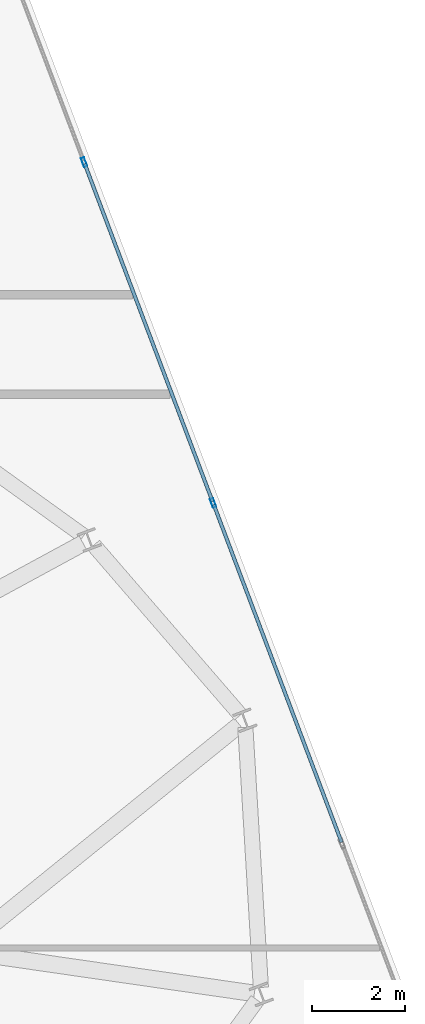
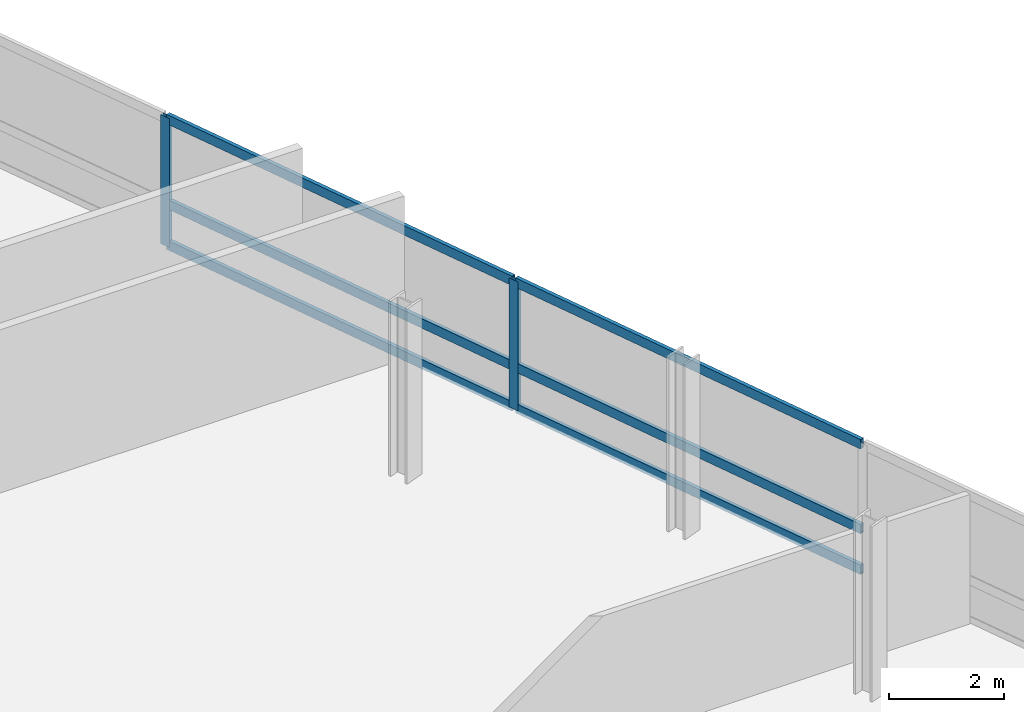
# One storey, part 16 of 23: 8 members, 1 element without a shape of its own.
"""IFC4 building model written with IfcOpenShell, lengths in metres."""

from ifc_helpers import new_model, si_unit, direction, frame, origin, origin_2d, place, context, subcontext, project, spatial, hollow_rectangle, extrude, material, layer, layer_set, material_profile, profile_set, type_object, element, aggregate, save


model = new_model("IFC4")

# Units and contexts
model_context = context("Model", 3, precision=1e-05, world=origin(), true_north=direction((0.0, 1.0)))
body_context = subcontext(model_context, "Body", "Model", "MODEL_VIEW")
ifc_project = project(units=[si_unit("LENGTHUNIT", "METRE"), si_unit("AREAUNIT", "SQUARE_METRE"), si_unit("VOLUMEUNIT", "CUBIC_METRE"), si_unit("PLANEANGLEUNIT", "RADIAN"), si_unit("MASSUNIT", "GRAM", prefix="KILO")], contexts=[model_context])

# Site, building, storey
site_placement = place(None, origin())
site = spatial("IfcSite", under=ifc_project, at=site_placement, CompositionType="ELEMENT")
building_placement = place(site_placement, origin())
building = spatial("IfcBuilding", under=site, at=building_placement, Name="Varnelok Gate Tower", CompositionType="ELEMENT")
storey_placement = place(building_placement, frame((0.0, 0.0, 227.5)))
storey = spatial("IfcBuildingStorey", under=building, at=storey_placement, Name="L58", CompositionType="ELEMENT", Elevation=227.5)

# Curtain wall, members
ifc_material = material(Name="Anodized Aluminum Alloy 6063-T6", Category="aluminium")
ifc_layer = layer(ifc_material, 0.179931640625)
ifc_layer_set = layer_set([ifc_layer], Name="Anodized Aluminum Alloy 6063-T6")
curtain_wall_type = type_object("IfcCurtainWallType", Name="CW4-RESIDENCE-VISION", PredefinedType="USERDEFINED", material=ifc_layer_set)
curtain_wall_placement = place(storey_placement, origin())
curtain_wall = element("IfcCurtainWall", 1, at=curtain_wall_placement, inside=storey, type_object=curtain_wall_type, Name="L58 East End Vision Curtain Wall", ObjectType="UNITISED CURTAIN WALL", PredefinedType="USERDEFINED")
ifc_material_profile_1 = material_profile(ifc_material, hollow_rectangle(XDim=0.074951171875, YDim=0.199951171875, WallThickness=0.00390625, at=origin_2d()), Name="ALU200X75X4")
ifc_profile_set_1 = profile_set([ifc_material_profile_1], Name="Anodized Aluminum Alloy 6063-T6")
member_type_1 = type_object("IfcMemberType", Name="CW-MULL-200", PredefinedType="MULLION", material=ifc_profile_set_1)
member_1_placement = place(storey_placement, frame((67.26318359375, 44.2646484375, 0.0), z_axis=(0.0, 0.0, 1.0), x_axis=(0.935221557832, 0.354063042079, 0.0)))
member_1 = element("IfcMember", 2, at=member_1_placement, type_object=member_type_1, Name="CW4 mullion 2", PredefinedType="MULLION", context=body_context, shape_type="SweptSolid", body=[
    extrude(hollow_rectangle(XDim=0.074951171875, YDim=0.199951171875, WallThickness=0.00390625, at=origin_2d()), origin(), (0.0, 0.0, 1.0), 2.72998046875),
])
member_2_placement = place(storey_placement, frame((70.02490234375, 36.969970703125, 0.0), z_axis=(0.0, 0.0, 1.0), x_axis=(0.935221557832, 0.354063042079, 0.0)))
member_2 = element("IfcMember", 3, at=member_2_placement, type_object=member_type_1, Name="CW4 mullion 3", PredefinedType="MULLION", context=body_context, shape_type="SweptSolid", body=[
    extrude(hollow_rectangle(XDim=0.074951171875, YDim=0.199951171875, WallThickness=0.00390625, at=origin_2d()), origin(), (0.0, 0.0, 1.0), 2.72998046875),
])
ifc_material_profile_2 = material_profile(ifc_material, hollow_rectangle(XDim=0.074951171875, YDim=0.199951171875, WallThickness=0.00390625, at=origin_2d()), Name="ALU200X75X4")
ifc_profile_set_2 = profile_set([ifc_material_profile_2], Name="Anodized Aluminum Alloy 6063-T6")
member_type_2 = type_object("IfcMemberType", Name="CW-TRAN-200", PredefinedType="USERDEFINED", material=ifc_profile_set_2)
member_3_placement = place(storey_placement, frame((67.2763671875, 44.2294921875, 0.03759765625), z_axis=(0.354086355793, -0.935212731223, 0.0), x_axis=(0.935212731223, 0.354086355793, 0.0)))
member_3 = element("IfcMember", 4, at=member_3_placement, type_object=member_type_2, Name="CW4 transom 2.1", ObjectType="TRANSOM", PredefinedType="USERDEFINED", context=body_context, shape_type="SweptSolid", body=[
    extrude(hollow_rectangle(XDim=0.074951171875, YDim=0.199951171875, WallThickness=0.00390625, at=origin_2d()), origin(), (0.0, 0.0, 1.0), 7.72509765625),
])
member_4_placement = place(storey_placement, frame((67.2763671875, 44.2294921875, 0.89990234375), z_axis=(0.354086355793, -0.935212731223, 0.0), x_axis=(0.935212731223, 0.354086355793, 0.0)))
member_4 = element("IfcMember", 5, at=member_4_placement, type_object=member_type_2, Name="CW4 transom 2.2", ObjectType="TRANSOM", PredefinedType="USERDEFINED", context=body_context, shape_type="SweptSolid", body=[
    extrude(hollow_rectangle(XDim=0.074951171875, YDim=0.199951171875, WallThickness=0.00390625, at=origin_2d()), origin(), (0.0, 0.0, 1.0), 7.72509765625),
])
member_5_placement = place(storey_placement, frame((67.2763671875, 44.2294921875, 2.6923828125), z_axis=(0.354086355793, -0.935212731223, 0.0), x_axis=(0.935212731223, 0.354086355793, 0.0)))
member_5 = element("IfcMember", 6, at=member_5_placement, type_object=member_type_2, Name="CW4 transom 2.3", ObjectType="TRANSOM", PredefinedType="USERDEFINED", context=body_context, shape_type="SweptSolid", body=[
    extrude(hollow_rectangle(XDim=0.074951171875, YDim=0.199951171875, WallThickness=0.00390625, at=origin_2d()), origin(), (0.0, 0.0, 1.0), 7.72509765625),
])
member_6_placement = place(storey_placement, frame((70.0380859375, 36.934814453125, 0.03759765625), z_axis=(0.354086355793, -0.935212731223, 0.0), x_axis=(0.935212731223, 0.354086355793, 0.0)))
member_6 = element("IfcMember", 7, at=member_6_placement, type_object=member_type_2, Name="CW4 transom 3.1", ObjectType="TRANSOM", PredefinedType="USERDEFINED", context=body_context, shape_type="SweptSolid", body=[
    extrude(hollow_rectangle(XDim=0.074951171875, YDim=0.199951171875, WallThickness=0.00390625, at=origin_2d()), origin(), (0.0, 0.0, 1.0), 7.72509765625),
])
member_7_placement = place(storey_placement, frame((70.0380859375, 36.934814453125, 0.89990234375), z_axis=(0.354086355793, -0.935212731223, 0.0), x_axis=(0.935212731223, 0.354086355793, 0.0)))
member_7 = element("IfcMember", 8, at=member_7_placement, type_object=member_type_2, Name="CW4 transom 3.2", ObjectType="TRANSOM", PredefinedType="USERDEFINED", context=body_context, shape_type="SweptSolid", body=[
    extrude(hollow_rectangle(XDim=0.074951171875, YDim=0.199951171875, WallThickness=0.00390625, at=origin_2d()), origin(), (0.0, 0.0, 1.0), 7.72509765625),
])
member_8_placement = place(storey_placement, frame((70.0380859375, 36.934814453125, 2.6923828125), z_axis=(0.354086355793, -0.935212731223, 0.0), x_axis=(0.935212731223, 0.354086355793, 0.0)))
member_8 = element("IfcMember", 9, at=member_8_placement, type_object=member_type_2, Name="CW4 transom 3.3", ObjectType="TRANSOM", PredefinedType="USERDEFINED", context=body_context, shape_type="SweptSolid", body=[
    extrude(hollow_rectangle(XDim=0.074951171875, YDim=0.199951171875, WallThickness=0.00390625, at=origin_2d()), origin(), (0.0, 0.0, 1.0), 7.72509765625),
])
aggregate(curtain_wall, [member_1, member_2, member_3, member_4, member_5, member_6, member_7, member_8])

save(model, "model.ifc")
